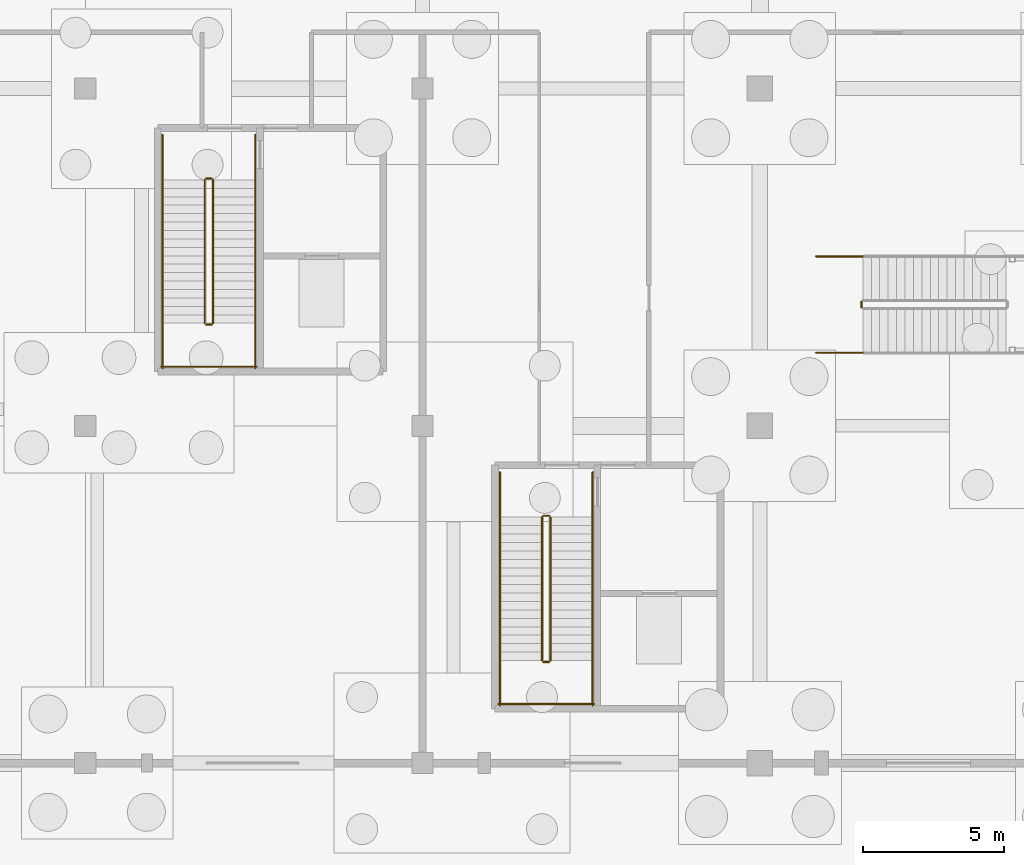
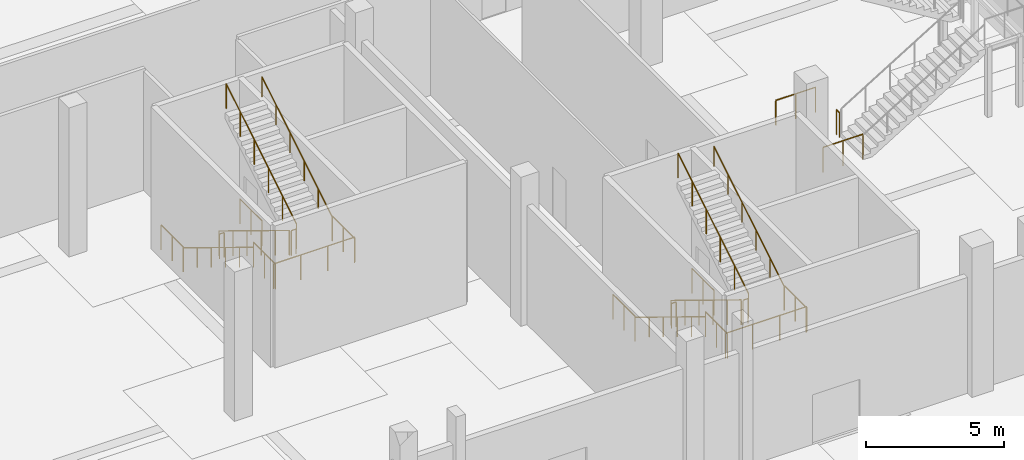
# One storey, part 102 of 117: 25 railings.
"""IFC4 building model written with IfcOpenShell, lengths in metres."""

from ifc_helpers import new_model, si_unit, direction, frame, origin, origin_2d, place, context, subcontext, project, spatial, circle, extrude, material, type_object, element, save


model = new_model("IFC4")

# Units and contexts
model_context = context("Model", 3, precision=1e-05, world=origin(), true_north=direction((0.0, 1.0)))
body_context = subcontext(model_context, "Body", "Model", "MODEL_VIEW")
ifc_project = project(units=[si_unit("LENGTHUNIT", "METRE"), si_unit("AREAUNIT", "SQUARE_METRE"), si_unit("VOLUMEUNIT", "CUBIC_METRE"), si_unit("PLANEANGLEUNIT", "RADIAN"), si_unit("MASSUNIT", "GRAM", prefix="KILO")], contexts=[model_context])

# Site, building, storey
site_placement = place(None, origin())
site = spatial("IfcSite", under=ifc_project, at=site_placement, CompositionType="ELEMENT")
building_placement = place(site_placement, origin())
building = spatial("IfcBuilding", under=site, at=building_placement, Name="Kamomehara Wholesale Market", CompositionType="ELEMENT")
storey_placement = place(building_placement, origin())
storey = spatial("IfcBuildingStorey", under=building, at=storey_placement, Name="L00", CompositionType="ELEMENT", Elevation=0.0)

# Railings
ifc_material_1 = material(Name="Steel SN400B", Category="steel")
railing_type_1 = type_object("IfcRailingType", Name="RAL-HND-900", PredefinedType="HANDRAIL", material=ifc_material_1)
railing_1_placement = place(storey_placement, frame((98.75, 32.75, 0.183349609375)))
element("IfcRailing", 1, at=railing_1_placement, inside=storey, type_object=railing_type_1, Name="L00 ST-06 stair handrail 1", PredefinedType="HANDRAIL", context=body_context, shape_type="SweptSolid", body=[
    extrude(circle(Radius=0.02392578125, at=origin_2d()), frame((0.0, 0.0, 0.8759765625), z_axis=(0.0, -0.853283853024, 0.521446705012), x_axis=(1.0, 0.0, 0.0)), (0.0, 0.0, 1.0), 5.97705078125),
    extrude(circle(Radius=0.02099609375, at=origin_2d()), origin(), (0.0, 0.0, 1.0), 0.851806640625),
    extrude(circle(Radius=0.02099609375, at=origin_2d()), frame((0.0, -1.02001953125, 0.623291015625)), (0.0, 0.0, 1.0), 0.851806640625),
    extrude(circle(Radius=0.02099609375, at=origin_2d()), frame((0.0, -2.0400390625, 1.24658203125)), (0.0, 0.0, 1.0), 0.851806640625),
    extrude(circle(Radius=0.02099609375, at=origin_2d()), frame((0.0, -3.06005859375, 1.8701171875)), (0.0, 0.0, 1.0), 0.851806640625),
    extrude(circle(Radius=0.02099609375, at=origin_2d()), frame((0.0, -4.080078125, 2.493408203125)), (0.0, 0.0, 1.0), 0.851806640625),
    extrude(circle(Radius=0.02099609375, at=origin_2d()), frame((0.0, -5.10009765625, 3.11669921875)), (0.0, 0.0, 1.0), 0.851806640625),
])
railing_2_placement = place(storey_placement, frame((102.050048828125, 27.64990234375, 3.4833984375)))
element("IfcRailing", 2, at=railing_2_placement, inside=storey, type_object=railing_type_1, Name="L00 ST-06 stair handrail 2", PredefinedType="HANDRAIL", context=body_context, shape_type="SweptSolid", body=[
    extrude(circle(Radius=0.02392578125, at=origin_2d()), frame((0.0, 0.0, 0.8759765625), z_axis=(0.0, 0.853283853024, 0.521446705012), x_axis=(-1.0, 0.0, 0.0)), (0.0, 0.0, 1.0), 5.97705078125),
    extrude(circle(Radius=0.02099609375, at=origin_2d()), origin(), (0.0, 0.0, 1.0), 0.851806640625),
    extrude(circle(Radius=0.02099609375, at=origin_2d()), frame((0.0, 1.02001953125, 0.623291015625)), (0.0, 0.0, 1.0), 0.851806640625),
    extrude(circle(Radius=0.02099609375, at=origin_2d()), frame((0.0, 2.0400390625, 1.24658203125)), (0.0, 0.0, 1.0), 0.851806640625),
    extrude(circle(Radius=0.02099609375, at=origin_2d()), frame((0.0, 3.06005859375, 1.8701171875)), (0.0, 0.0, 1.0), 0.851806640625),
    extrude(circle(Radius=0.02099609375, at=origin_2d()), frame((0.0, 4.080078125, 2.493408203125)), (0.0, 0.0, 1.0), 0.851806640625),
    extrude(circle(Radius=0.02099609375, at=origin_2d()), frame((0.0, 5.10009765625, 3.11669921875)), (0.0, 0.0, 1.0), 0.851806640625),
])
railing_3_placement = place(storey_placement, frame((110.75, 20.75, 0.183349609375)))
element("IfcRailing", 3, at=railing_3_placement, inside=storey, type_object=railing_type_1, Name="L00 ST-07 stair handrail 1", PredefinedType="HANDRAIL", context=body_context, shape_type="SweptSolid", body=[
    extrude(circle(Radius=0.02392578125, at=origin_2d()), frame((0.0, 0.0, 0.8759765625), z_axis=(0.0, -0.853283853024, 0.521446705012), x_axis=(1.0, 0.0, 0.0)), (0.0, 0.0, 1.0), 5.97705078125),
    extrude(circle(Radius=0.02099609375, at=origin_2d()), origin(), (0.0, 0.0, 1.0), 0.851806640625),
    extrude(circle(Radius=0.02099609375, at=origin_2d()), frame((0.0, -1.02001953125, 0.623291015625)), (0.0, 0.0, 1.0), 0.851806640625),
    extrude(circle(Radius=0.02099609375, at=origin_2d()), frame((0.0, -2.0400390625, 1.24658203125)), (0.0, 0.0, 1.0), 0.851806640625),
    extrude(circle(Radius=0.02099609375, at=origin_2d()), frame((0.0, -3.06005859375, 1.8701171875)), (0.0, 0.0, 1.0), 0.851806640625),
    extrude(circle(Radius=0.02099609375, at=origin_2d()), frame((0.0, -4.080078125, 2.493408203125)), (0.0, 0.0, 1.0), 0.851806640625),
    extrude(circle(Radius=0.02099609375, at=origin_2d()), frame((0.0, -5.10009765625, 3.11669921875)), (0.0, 0.0, 1.0), 0.851806640625),
])
railing_4_placement = place(storey_placement, frame((114.050048828125, 15.64990234375, 3.4833984375)))
element("IfcRailing", 4, at=railing_4_placement, inside=storey, type_object=railing_type_1, Name="L00 ST-07 stair handrail 2", PredefinedType="HANDRAIL", context=body_context, shape_type="SweptSolid", body=[
    extrude(circle(Radius=0.02392578125, at=origin_2d()), frame((0.0, 0.0, 0.8759765625), z_axis=(0.0, 0.853283853024, 0.521446705012), x_axis=(-1.0, 0.0, 0.0)), (0.0, 0.0, 1.0), 5.97705078125),
    extrude(circle(Radius=0.02099609375, at=origin_2d()), origin(), (0.0, 0.0, 1.0), 0.851806640625),
    extrude(circle(Radius=0.02099609375, at=origin_2d()), frame((0.0, 1.02001953125, 0.623291015625)), (0.0, 0.0, 1.0), 0.851806640625),
    extrude(circle(Radius=0.02099609375, at=origin_2d()), frame((0.0, 2.0400390625, 1.24658203125)), (0.0, 0.0, 1.0), 0.851806640625),
    extrude(circle(Radius=0.02099609375, at=origin_2d()), frame((0.0, 3.06005859375, 1.8701171875)), (0.0, 0.0, 1.0), 0.851806640625),
    extrude(circle(Radius=0.02099609375, at=origin_2d()), frame((0.0, 4.080078125, 2.493408203125)), (0.0, 0.0, 1.0), 0.851806640625),
    extrude(circle(Radius=0.02099609375, at=origin_2d()), frame((0.0, 5.10009765625, 3.11669921875)), (0.0, 0.0, 1.0), 0.851806640625),
])
ifc_material_2 = material(Name="Steel SN400B", Category="steel")
railing_type_2 = type_object("IfcRailingType", Name="RAL-INT-1100", PredefinedType="BALUSTRADE", material=ifc_material_2)
railing_5_placement = place(storey_placement, frame((100.25, 32.75, 0.183349609375)))
element("IfcRailing", 5, at=railing_5_placement, inside=storey, type_object=railing_type_2, Name="L00 ST-06 stair guard 1", PredefinedType="BALUSTRADE", context=body_context, shape_type="SweptSolid", body=[
    extrude(circle(Radius=0.02392578125, at=origin_2d()), frame((0.0, 0.0, 1.09619140625), z_axis=(0.0, -0.853283853024, 0.521446705012), x_axis=(1.0, 0.0, 0.0)), (0.0, 0.0, 1.0), 5.97705078125),
    extrude(circle(Radius=0.02099609375, at=origin_2d()), origin(), (0.0, 0.0, 1.0), 1.072021484375),
    extrude(circle(Radius=0.02099609375, at=origin_2d()), frame((0.0, -1.02001953125, 0.623291015625)), (0.0, 0.0, 1.0), 1.072021484375),
    extrude(circle(Radius=0.02099609375, at=origin_2d()), frame((0.0, -2.0400390625, 1.24658203125)), (0.0, 0.0, 1.0), 1.072021484375),
    extrude(circle(Radius=0.02099609375, at=origin_2d()), frame((0.0, -3.06005859375, 1.8701171875)), (0.0, 0.0, 1.0), 1.072021484375),
    extrude(circle(Radius=0.02099609375, at=origin_2d()), frame((0.0, -4.080078125, 2.493408203125)), (0.0, 0.0, 1.0), 1.072021484375),
    extrude(circle(Radius=0.02099609375, at=origin_2d()), frame((0.0, -5.10009765625, 3.11669921875)), (0.0, 0.0, 1.0), 1.072021484375),
])
railing_6_placement = place(storey_placement, frame((100.300048828125, 27.60009765625, 3.300048828125)))
element("IfcRailing", 6, at=railing_6_placement, inside=storey, type_object=railing_type_2, Name="L00 ST-06 stair guard 2", PredefinedType="BALUSTRADE", context=body_context, shape_type="SweptSolid", body=[
    extrude(circle(Radius=0.02392578125, at=origin_2d()), frame((0.0, 0.0, 1.09619140625), z_axis=(1.0, 0.0, 0.0), x_axis=(0.0, 1.0, 0.0)), (0.0, 0.0, 1.0), 0.199951171875),
    extrude(circle(Radius=0.02099609375, at=origin_2d()), origin(), (0.0, 0.0, 1.0), 1.072021484375),
    extrude(circle(Radius=0.02099609375, at=origin_2d()), frame((0.199951171875, 0.0, 0.0)), (0.0, 0.0, 1.0), 1.072021484375),
])
for number, where, name in (
    (7, (98.75, 27.64990234375, 3.300048828125), "L00 ST-06 stair guard 3"),
    (8, (102.050048828125, 27.64990234375, 3.300048828125), "L00 ST-06 stair guard 4"),
):
    element("IfcRailing", number, at=place(storey_placement, frame(where)), inside=storey, type_object=railing_type_2, Name=name, PredefinedType="BALUSTRADE", context=body_context, shape_type="SweptSolid", body=[
        extrude(circle(Radius=0.02392578125, at=origin_2d()), frame((0.0, 0.0, 1.09619140625), z_axis=(0.0, -1.0, 0.0), x_axis=(1.0, 0.0, 0.0)), (0.0, 0.0, 1.0), 1.599853515625),
        extrude(circle(Radius=0.02099609375, at=origin_2d()), origin(), (0.0, 0.0, 1.0), 1.072021484375),
        extrude(circle(Radius=0.02099609375, at=origin_2d()), frame((0.0, -0.7998046875, 0.0)), (0.0, 0.0, 1.0), 1.072021484375),
        extrude(circle(Radius=0.02099609375, at=origin_2d()), frame((0.0, -1.599853515625, 0.0)), (0.0, 0.0, 1.0), 1.072021484375),
    ])
railing_7_placement = place(storey_placement, frame((98.699951171875, 26.10009765625, 3.300048828125)))
element("IfcRailing", 9, at=railing_7_placement, inside=storey, type_object=railing_type_2, Name="L00 ST-06 stair guard 5", PredefinedType="BALUSTRADE", context=body_context, shape_type="SweptSolid", body=[
    extrude(circle(Radius=0.02392578125, at=origin_2d()), frame((0.0, 0.0, 1.09619140625), z_axis=(1.0, 0.0, 0.0), x_axis=(0.0, 1.0, 0.0)), (0.0, 0.0, 1.0), 3.400146484375),
    extrude(circle(Radius=0.02099609375, at=origin_2d()), origin(), (0.0, 0.0, 1.0), 1.072021484375),
    extrude(circle(Radius=0.02099609375, at=origin_2d()), frame((1.13330078125, 0.0, 0.0)), (0.0, 0.0, 1.0), 1.072021484375),
    extrude(circle(Radius=0.02099609375, at=origin_2d()), frame((2.266845703125, 0.0, 0.0)), (0.0, 0.0, 1.0), 1.072021484375),
    extrude(circle(Radius=0.02099609375, at=origin_2d()), frame((3.400146484375, 0.0, 0.0)), (0.0, 0.0, 1.0), 1.072021484375),
])
railing_8_placement = place(storey_placement, frame((100.550048828125, 27.64990234375, 3.4833984375)))
element("IfcRailing", 10, at=railing_8_placement, inside=storey, type_object=railing_type_2, Name="L00 ST-06 stair guard 6", PredefinedType="BALUSTRADE", context=body_context, shape_type="SweptSolid", body=[
    extrude(circle(Radius=0.02392578125, at=origin_2d()), frame((0.0, 0.0, 1.09619140625), z_axis=(0.0, 0.853283853024, 0.521446705012), x_axis=(-1.0, 0.0, 0.0)), (0.0, 0.0, 1.0), 5.97705078125),
    extrude(circle(Radius=0.02099609375, at=origin_2d()), origin(), (0.0, 0.0, 1.0), 1.072021484375),
    extrude(circle(Radius=0.02099609375, at=origin_2d()), frame((0.0, 1.02001953125, 0.623291015625)), (0.0, 0.0, 1.0), 1.072021484375),
    extrude(circle(Radius=0.02099609375, at=origin_2d()), frame((0.0, 2.0400390625, 1.24658203125)), (0.0, 0.0, 1.0), 1.072021484375),
    extrude(circle(Radius=0.02099609375, at=origin_2d()), frame((0.0, 3.06005859375, 1.8701171875)), (0.0, 0.0, 1.0), 1.072021484375),
    extrude(circle(Radius=0.02099609375, at=origin_2d()), frame((0.0, 4.080078125, 2.493408203125)), (0.0, 0.0, 1.0), 1.072021484375),
    extrude(circle(Radius=0.02099609375, at=origin_2d()), frame((0.0, 5.10009765625, 3.11669921875)), (0.0, 0.0, 1.0), 1.072021484375),
])
railing_9_placement = place(storey_placement, frame((100.300048828125, 32.800048828125, 0.0)))
element("IfcRailing", 11, at=railing_9_placement, inside=storey, type_object=railing_type_2, Name="L00 ST-06 stair guard 7", PredefinedType="BALUSTRADE", context=body_context, shape_type="SweptSolid", body=[
    extrude(circle(Radius=0.02392578125, at=origin_2d()), frame((0.0, 0.0, 1.09619140625), z_axis=(1.0, 0.0, 0.0), x_axis=(0.0, 1.0, 0.0)), (0.0, 0.0, 1.0), 0.199951171875),
    extrude(circle(Radius=0.02099609375, at=origin_2d()), origin(), (0.0, 0.0, 1.0), 1.072021484375),
    extrude(circle(Radius=0.02099609375, at=origin_2d()), frame((0.199951171875, 0.0, 0.0)), (0.0, 0.0, 1.0), 1.072021484375),
])
for number, where, name in (
    (12, (98.75, 34.35009765625, 0.0), "L00 ST-06 stair guard 8"),
    (13, (102.050048828125, 34.35009765625, 0.0), "L00 ST-06 stair guard 9"),
):
    element("IfcRailing", number, at=place(storey_placement, frame(where)), inside=storey, type_object=railing_type_2, Name=name, PredefinedType="BALUSTRADE", context=body_context, shape_type="SweptSolid", body=[
        extrude(circle(Radius=0.02392578125, at=origin_2d()), frame((0.0, 0.0, 1.09619140625), z_axis=(0.0, -1.0, 0.0), x_axis=(1.0, 0.0, 0.0)), (0.0, 0.0, 1.0), 1.60009765625),
        extrude(circle(Radius=0.02099609375, at=origin_2d()), origin(), (0.0, 0.0, 1.0), 1.072021484375),
        extrude(circle(Radius=0.02099609375, at=origin_2d()), frame((0.0, -0.800048828125, 0.0)), (0.0, 0.0, 1.0), 1.072021484375),
        extrude(circle(Radius=0.02099609375, at=origin_2d()), frame((0.0, -1.60009765625, 0.0)), (0.0, 0.0, 1.0), 1.072021484375),
    ])
railing_10_placement = place(storey_placement, frame((112.25, 20.75, 0.183349609375)))
element("IfcRailing", 14, at=railing_10_placement, inside=storey, type_object=railing_type_2, Name="L00 ST-07 stair guard 1", PredefinedType="BALUSTRADE", context=body_context, shape_type="SweptSolid", body=[
    extrude(circle(Radius=0.02392578125, at=origin_2d()), frame((0.0, 0.0, 1.09619140625), z_axis=(0.0, -0.853283853024, 0.521446705012), x_axis=(1.0, 0.0, 0.0)), (0.0, 0.0, 1.0), 5.97705078125),
    extrude(circle(Radius=0.02099609375, at=origin_2d()), origin(), (0.0, 0.0, 1.0), 1.072021484375),
    extrude(circle(Radius=0.02099609375, at=origin_2d()), frame((0.0, -1.02001953125, 0.623291015625)), (0.0, 0.0, 1.0), 1.072021484375),
    extrude(circle(Radius=0.02099609375, at=origin_2d()), frame((0.0, -2.0400390625, 1.24658203125)), (0.0, 0.0, 1.0), 1.072021484375),
    extrude(circle(Radius=0.02099609375, at=origin_2d()), frame((0.0, -3.06005859375, 1.8701171875)), (0.0, 0.0, 1.0), 1.072021484375),
    extrude(circle(Radius=0.02099609375, at=origin_2d()), frame((0.0, -4.080078125, 2.493408203125)), (0.0, 0.0, 1.0), 1.072021484375),
    extrude(circle(Radius=0.02099609375, at=origin_2d()), frame((0.0, -5.10009765625, 3.11669921875)), (0.0, 0.0, 1.0), 1.072021484375),
])
railing_11_placement = place(storey_placement, frame((112.300048828125, 15.60009765625, 3.300048828125)))
element("IfcRailing", 15, at=railing_11_placement, inside=storey, type_object=railing_type_2, Name="L00 ST-07 stair guard 2", PredefinedType="BALUSTRADE", context=body_context, shape_type="SweptSolid", body=[
    extrude(circle(Radius=0.02392578125, at=origin_2d()), frame((0.0, 0.0, 1.09619140625), z_axis=(1.0, 0.0, 0.0), x_axis=(0.0, 1.0, 0.0)), (0.0, 0.0, 1.0), 0.199951171875),
    extrude(circle(Radius=0.02099609375, at=origin_2d()), origin(), (0.0, 0.0, 1.0), 1.072021484375),
    extrude(circle(Radius=0.02099609375, at=origin_2d()), frame((0.199951171875, 0.0, 0.0)), (0.0, 0.0, 1.0), 1.072021484375),
])
for number, where, name in (
    (16, (110.75, 15.64990234375, 3.300048828125), "L00 ST-07 stair guard 3"),
    (17, (114.050048828125, 15.64990234375, 3.300048828125), "L00 ST-07 stair guard 4"),
):
    element("IfcRailing", number, at=place(storey_placement, frame(where)), inside=storey, type_object=railing_type_2, Name=name, PredefinedType="BALUSTRADE", context=body_context, shape_type="SweptSolid", body=[
        extrude(circle(Radius=0.02392578125, at=origin_2d()), frame((0.0, 0.0, 1.09619140625), z_axis=(0.0, -1.0, 0.0), x_axis=(1.0, 0.0, 0.0)), (0.0, 0.0, 1.0), 1.599853515625),
        extrude(circle(Radius=0.02099609375, at=origin_2d()), origin(), (0.0, 0.0, 1.0), 1.072021484375),
        extrude(circle(Radius=0.02099609375, at=origin_2d()), frame((0.0, -0.7998046875, 0.0)), (0.0, 0.0, 1.0), 1.072021484375),
        extrude(circle(Radius=0.02099609375, at=origin_2d()), frame((0.0, -1.599853515625, 0.0)), (0.0, 0.0, 1.0), 1.072021484375),
    ])
railing_12_placement = place(storey_placement, frame((110.699951171875, 14.10009765625, 3.300048828125)))
element("IfcRailing", 18, at=railing_12_placement, inside=storey, type_object=railing_type_2, Name="L00 ST-07 stair guard 5", PredefinedType="BALUSTRADE", context=body_context, shape_type="SweptSolid", body=[
    extrude(circle(Radius=0.02392578125, at=origin_2d()), frame((0.0, 0.0, 1.09619140625), z_axis=(1.0, 0.0, 0.0), x_axis=(0.0, 1.0, 0.0)), (0.0, 0.0, 1.0), 3.400146484375),
    extrude(circle(Radius=0.02099609375, at=origin_2d()), origin(), (0.0, 0.0, 1.0), 1.072021484375),
    extrude(circle(Radius=0.02099609375, at=origin_2d()), frame((1.13330078125, 0.0, 0.0)), (0.0, 0.0, 1.0), 1.072021484375),
    extrude(circle(Radius=0.02099609375, at=origin_2d()), frame((2.266845703125, 0.0, 0.0)), (0.0, 0.0, 1.0), 1.072021484375),
    extrude(circle(Radius=0.02099609375, at=origin_2d()), frame((3.400146484375, 0.0, 0.0)), (0.0, 0.0, 1.0), 1.072021484375),
])
railing_13_placement = place(storey_placement, frame((112.550048828125, 15.64990234375, 3.4833984375)))
element("IfcRailing", 19, at=railing_13_placement, inside=storey, type_object=railing_type_2, Name="L00 ST-07 stair guard 6", PredefinedType="BALUSTRADE", context=body_context, shape_type="SweptSolid", body=[
    extrude(circle(Radius=0.02392578125, at=origin_2d()), frame((0.0, 0.0, 1.09619140625), z_axis=(0.0, 0.853283853024, 0.521446705012), x_axis=(-1.0, 0.0, 0.0)), (0.0, 0.0, 1.0), 5.97705078125),
    extrude(circle(Radius=0.02099609375, at=origin_2d()), origin(), (0.0, 0.0, 1.0), 1.072021484375),
    extrude(circle(Radius=0.02099609375, at=origin_2d()), frame((0.0, 1.02001953125, 0.623291015625)), (0.0, 0.0, 1.0), 1.072021484375),
    extrude(circle(Radius=0.02099609375, at=origin_2d()), frame((0.0, 2.0400390625, 1.24658203125)), (0.0, 0.0, 1.0), 1.072021484375),
    extrude(circle(Radius=0.02099609375, at=origin_2d()), frame((0.0, 3.06005859375, 1.8701171875)), (0.0, 0.0, 1.0), 1.072021484375),
    extrude(circle(Radius=0.02099609375, at=origin_2d()), frame((0.0, 4.080078125, 2.493408203125)), (0.0, 0.0, 1.0), 1.072021484375),
    extrude(circle(Radius=0.02099609375, at=origin_2d()), frame((0.0, 5.10009765625, 3.11669921875)), (0.0, 0.0, 1.0), 1.072021484375),
])
railing_14_placement = place(storey_placement, frame((112.300048828125, 20.800048828125, 0.0)))
element("IfcRailing", 20, at=railing_14_placement, inside=storey, type_object=railing_type_2, Name="L00 ST-07 stair guard 7", PredefinedType="BALUSTRADE", context=body_context, shape_type="SweptSolid", body=[
    extrude(circle(Radius=0.02392578125, at=origin_2d()), frame((0.0, 0.0, 1.09619140625), z_axis=(1.0, 0.0, 0.0), x_axis=(0.0, 1.0, 0.0)), (0.0, 0.0, 1.0), 0.199951171875),
    extrude(circle(Radius=0.02099609375, at=origin_2d()), origin(), (0.0, 0.0, 1.0), 1.072021484375),
    extrude(circle(Radius=0.02099609375, at=origin_2d()), frame((0.199951171875, 0.0, 0.0)), (0.0, 0.0, 1.0), 1.072021484375),
])
for number, where, name in (
    (21, (110.75, 22.35009765625, 0.0), "L00 ST-07 stair guard 8"),
    (22, (114.050048828125, 22.35009765625, 0.0), "L00 ST-07 stair guard 9"),
):
    element("IfcRailing", number, at=place(storey_placement, frame(where)), inside=storey, type_object=railing_type_2, Name=name, PredefinedType="BALUSTRADE", context=body_context, shape_type="SweptSolid", body=[
        extrude(circle(Radius=0.02392578125, at=origin_2d()), frame((0.0, 0.0, 1.09619140625), z_axis=(0.0, -1.0, 0.0), x_axis=(1.0, 0.0, 0.0)), (0.0, 0.0, 1.0), 1.60009765625),
        extrude(circle(Radius=0.02099609375, at=origin_2d()), origin(), (0.0, 0.0, 1.0), 1.072021484375),
        extrude(circle(Radius=0.02099609375, at=origin_2d()), frame((0.0, -0.800048828125, 0.0)), (0.0, 0.0, 1.0), 1.072021484375),
        extrude(circle(Radius=0.02099609375, at=origin_2d()), frame((0.0, -1.60009765625, 0.0)), (0.0, 0.0, 1.0), 1.072021484375),
    ])
railing_15_placement = place(storey_placement, frame((123.614990234375, 28.215087890625, 0.0)))
element("IfcRailing", 23, at=railing_15_placement, inside=storey, type_object=railing_type_2, Name="L00 ST-17 stair guard 7", PredefinedType="BALUSTRADE", context=body_context, shape_type="SweptSolid", body=[
    extrude(circle(Radius=0.02392578125, at=origin_2d()), frame((0.0, 0.0, 1.09619140625), z_axis=(0.0, 1.0, 0.0), x_axis=(-1.0, 0.0, 0.0)), (0.0, 0.0, 1.0), 0.199951171875),
    extrude(circle(Radius=0.02099609375, at=origin_2d()), origin(), (0.0, 0.0, 1.0), 1.072021484375),
    extrude(circle(Radius=0.02099609375, at=origin_2d()), frame((0.0, 0.199951171875, 0.0)), (0.0, 0.0, 1.0), 1.072021484375),
])
for number, where, name in (
    (24, (122.0, 26.60009765625, 0.0), "L00 ST-17 stair guard 8"),
    (25, (122.0, 30.030029296875, 0.0), "L00 ST-17 stair guard 9"),
):
    element("IfcRailing", number, at=place(storey_placement, frame(where)), inside=storey, type_object=railing_type_2, Name=name, PredefinedType="BALUSTRADE", context=body_context, shape_type="SweptSolid", body=[
        extrude(circle(Radius=0.02392578125, at=origin_2d()), frame((0.0, 0.0, 1.09619140625), z_axis=(1.0, 0.0, 0.0), x_axis=(0.0, 1.0, 0.0)), (0.0, 0.0, 1.0), 1.6650390625),
        extrude(circle(Radius=0.02099609375, at=origin_2d()), origin(), (0.0, 0.0, 1.0), 1.072021484375),
        extrude(circle(Radius=0.02099609375, at=origin_2d()), frame((0.83251953125, 0.0, 0.0)), (0.0, 0.0, 1.0), 1.072021484375),
        extrude(circle(Radius=0.02099609375, at=origin_2d()), frame((1.6650390625, 0.0, 0.0)), (0.0, 0.0, 1.0), 1.072021484375),
    ])

save(model, "model.ifc")
